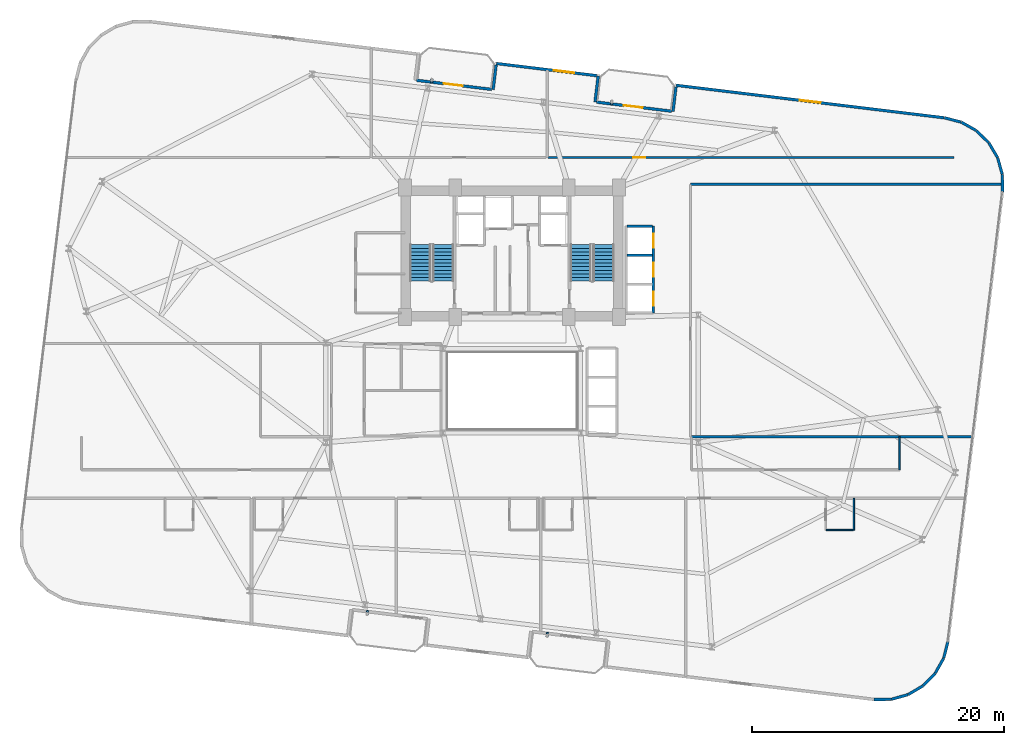
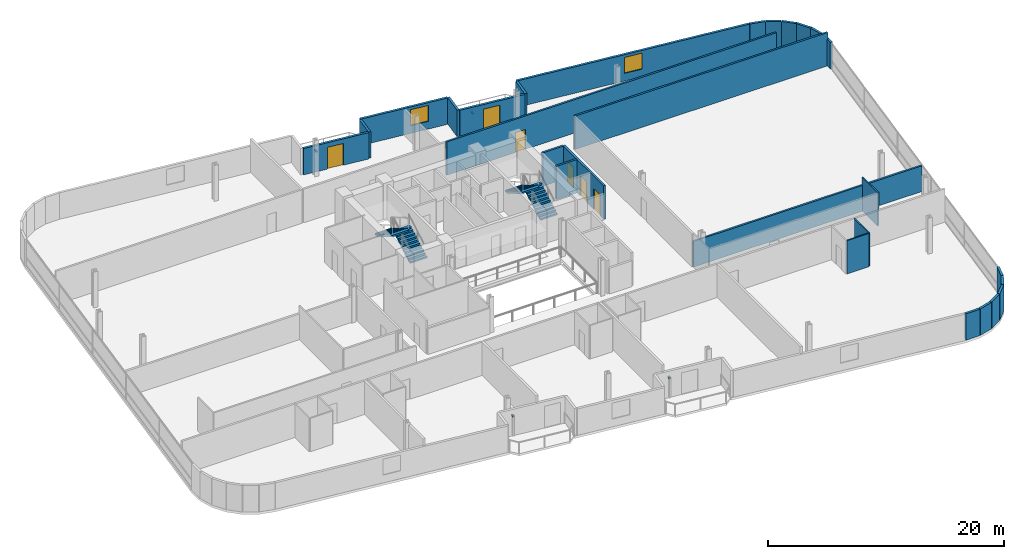
# One storey, part 23 of 25: 28 walls, 6 doors, 4 discrete accessories, 4 stair flights, 2 windows, 8 openings, 2 elements without a shape of their own.
"""IFC4 building model written with IfcOpenShell, lengths in metres."""

import ifcopenshell
import ifcopenshell.guid

model = None  # the IFC model being written
_history = None  # IfcOwnerHistory: only IFC2X3 demands one
_inside = {}  # id of a spatial element -> (the spatial element, [elements in it])
_under = {}  # id of a project, library or spatial element -> (it, [spatial elements below it])
_declared = {}  # id of a project -> (the project, [libraries it declares])
_typed = {}  # id of a type object -> (the type object, [elements of that type])
_made_of = {}  # id of a material, layer set ... -> (it, [elements and type objects made of it])


def new_model(schema):
    """Start an empty IFC model of exactly this schema.

    Asked for "IFC4X3", IfcOpenShell would pick the latest addendum, in which some entities
    have other attributes; the version numbers below select the first issue.
    IFC2X3 requires an IfcOwnerHistory on every rooted entity: one is made here for all.
    """
    global model, _history
    if schema == "IFC4X3":
        model = ifcopenshell.file(schema_version=(4, 3, 0, 0))
    else:
        model = ifcopenshell.file(schema=schema)
    _inside.clear()
    _under.clear()
    _declared.clear()
    _typed.clear()
    _made_of.clear()
    _history = None
    if model.schema == "IFC2X3":
        org = make("IfcOrganization", Name="unknown")
        user = make(
            "IfcPersonAndOrganization",
            ThePerson=make("IfcPerson", FamilyName="unknown"),
            TheOrganization=org,
        )
        app = make(
            "IfcApplication",
            ApplicationDeveloper=org,
            Version="unknown",
            ApplicationFullName="unknown",
            ApplicationIdentifier="unknown",
        )
        _history = make(
            "IfcOwnerHistory",
            OwningUser=user,
            OwningApplication=app,
            ChangeAction="ADDED",
            CreationDate=0,
        )
    return model


def make(cls, **values):
    """One entity of the class cls with the attributes given. An attribute that is None is left unset."""
    return model.create_entity(
        cls, **{name: value for name, value in values.items() if value is not None}
    )


def rooted(cls, **values):
    """An entity with a GlobalId (a new one), such as an element, a storey or a relation."""
    return make(cls, GlobalId=ifcopenshell.guid.new(), OwnerHistory=_history, **values)


def si_unit(unit_type, name, prefix=None):
    """IfcSIUnit, for example si_unit("LENGTHUNIT", "METRE", prefix="MILLI")."""
    return make("IfcSIUnit", UnitType=unit_type, Prefix=prefix, Name=name)


def assignment(units):
    """IfcUnitAssignment: the units of a project."""
    return None if units is None else make("IfcUnitAssignment", Units=units)


def point(xyz):
    """IfcCartesianPoint."""
    return None if xyz is None else make("IfcCartesianPoint", Coordinates=xyz)


def direction(xyz):
    """IfcDirection."""
    return None if xyz is None else make("IfcDirection", DirectionRatios=xyz)


def frame(location, z_axis=None, x_axis=None):
    """IfcAxis2Placement3D, a coordinate frame: its origin and axes. An axis left out is left unset."""
    return make(
        "IfcAxis2Placement3D",
        Location=point(location),
        Axis=direction(z_axis),
        RefDirection=direction(x_axis),
    )


def frame_2d(location, x_axis=None):
    """IfcAxis2Placement2D, a coordinate frame in the plane: its origin and x axis."""
    return make(
        "IfcAxis2Placement2D", Location=point(location), RefDirection=direction(x_axis)
    )


def origin():
    """The frame at (0, 0, 0) with its axes left unset."""
    return frame((0.0, 0.0, 0.0))


def origin_2d():
    """The frame at (0, 0) in the plane with its x axis left unset."""
    return frame_2d((0.0, 0.0))


def place(relative_to, where):
    """IfcLocalPlacement: puts the frame where relative to a parent placement (None: the world)."""
    return make(
        "IfcLocalPlacement", PlacementRelTo=relative_to, RelativePlacement=where
    )


def context(
    kind, dimensions, precision=None, world=None, true_north=None, identifier=None
):
    """IfcGeometricRepresentationContext, for example the 3D "Model" context."""
    return make(
        "IfcGeometricRepresentationContext",
        ContextIdentifier=identifier,
        ContextType=kind,
        CoordinateSpaceDimension=dimensions,
        Precision=precision,
        WorldCoordinateSystem=world,
        TrueNorth=true_north,
    )


def subcontext(parent, identifier, kind, view, scale=None):
    """IfcGeometricRepresentationSubContext, for example "Body" below "Model"."""
    return make(
        "IfcGeometricRepresentationSubContext",
        ContextIdentifier=identifier,
        ContextType=kind,
        ParentContext=parent,
        TargetScale=scale,
        TargetView=view,
    )


def project(units=None, contexts=None):
    """IfcProject with its units and contexts."""
    return rooted(
        "IfcProject",
        Name="project",
        RepresentationContexts=contexts,
        UnitsInContext=assignment(units),
    )


def spatial(cls, under=None, at=None, **own):
    """A site, building, storey or space (cls), placed at a placement, below another one or the project."""
    s = rooted(cls, ObjectPlacement=at, **own)
    if under is not None:
        _under.setdefault(under.id(), (under, []))[1].append(s)
    return s


def polyline(points):
    """IfcPolyline through the points."""
    return make("IfcPolyline", Points=[point(p) for p in points])


def profile(cls, at=None, kind="AREA", **sizes):
    """A parametric profile (cls). Its sizes go by their IFC names, for example OverallWidth=200.0."""
    return make(cls, ProfileType=kind, Position=at, **sizes)


def rectangle(**sizes):
    """IfcRectangleProfileDef."""
    return profile("IfcRectangleProfileDef", **sizes)


def outline(outer, holes=None, kind="AREA"):
    """IfcArbitraryClosedProfileDef: a profile drawn as a closed curve; with holes, ...WithVoids."""
    if holes is None:
        return make("IfcArbitraryClosedProfileDef", ProfileType=kind, OuterCurve=outer)
    return make(
        "IfcArbitraryProfileDefWithVoids",
        ProfileType=kind,
        OuterCurve=outer,
        InnerCurves=holes,
    )


def extrude(swept, where, along, depth):
    """IfcExtrudedAreaSolid: the profile swept, set in the frame where, extruded along a direction by depth."""
    return make(
        "IfcExtrudedAreaSolid",
        SweptArea=swept,
        Position=where,
        ExtrudedDirection=direction(along),
        Depth=depth,
    )


def shape(context_of_items, identifier, shape_type, items):
    """IfcShapeRepresentation: the items that make up one representation, for example the "Body"."""
    return make(
        "IfcShapeRepresentation",
        ContextOfItems=context_of_items,
        RepresentationIdentifier=identifier,
        RepresentationType=shape_type,
        Items=items,
    )


def source(mapping_origin, context_of_items, identifier, shape_type, items):
    """IfcRepresentationMap: a shape defined once, which mapped items show again and again."""
    return make(
        "IfcRepresentationMap",
        MappingOrigin=mapping_origin,
        MappedRepresentation=shape(context_of_items, identifier, shape_type, items),
    )


def transform(
    local_origin,
    x_axis=None,
    y_axis=None,
    z_axis=None,
    scale=None,
    scale2=None,
    scale3=None,
    uniform=True,
):
    """IfcCartesianTransformationOperator3D, or its non-uniform kind. x_axis, y_axis, z_axis: its Axis1, 2, 3."""
    if uniform:
        return make(
            "IfcCartesianTransformationOperator3D",
            Axis1=direction(x_axis),
            Axis2=direction(y_axis),
            LocalOrigin=point(local_origin),
            Scale=scale,
            Axis3=direction(z_axis),
        )
    return make(
        "IfcCartesianTransformationOperator3DnonUniform",
        Axis1=direction(x_axis),
        Axis2=direction(y_axis),
        LocalOrigin=point(local_origin),
        Scale=scale,
        Axis3=direction(z_axis),
        Scale2=scale2,
        Scale3=scale3,
    )


def mapped(mapping_source, mapping_target):
    """IfcMappedItem: shows the shape of a source again, moved by a transform."""
    return make(
        "IfcMappedItem", MappingSource=mapping_source, MappingTarget=mapping_target
    )


def material(Name=None, Category=None):
    """IfcMaterial."""
    return make("IfcMaterial", Name=Name, Category=Category)


def layer(
    of_material, thickness, ventilated=None, Name=None, Category=None, Priority=None
):
    """IfcMaterialLayer: one layer of a wall or slab, of a material (None: an air gap)."""
    return make(
        "IfcMaterialLayer",
        Material=of_material,
        LayerThickness=thickness,
        IsVentilated=ventilated,
        Name=Name,
        Category=Category,
        Priority=Priority,
    )


def layer_set(layers, Name=None):
    """IfcMaterialLayerSet."""
    return make("IfcMaterialLayerSet", MaterialLayers=layers, LayerSetName=Name)


def made_of(thing, what):
    """Note that an element or type object is made of a material, layer set ...; save() writes the relation."""
    if what is not None:
        _made_of.setdefault(what.id(), (what, []))[1].append(thing)
    return thing


def type_object(cls, material=None, **own):
    """A type object (cls), such as IfcWallType, which elements share."""
    return made_of(rooted(cls, **own), material)


def element(
    cls,
    number,
    at=None,
    inside=None,
    cuts=None,
    type_object=None,
    material=None,
    context=None,
    identifier="Body",
    shape_type=None,
    held_by="IfcProductDefinitionShape",
    body=None,
    shapes=None,
    **own,
):
    """One element of the class cls, such as IfcWall. Its Tag is "e" and its number.

    at: its placement. inside: the storey or other place that contains it. cuts: it is an
    opening in that element (IfcRelVoidsElement). A single representation is given by context,
    identifier, shape_type and body (its items); several are given by shapes. held_by: the class
    of the entity that holds the representations. save() writes the other relations.
    """
    e = rooted(cls, Tag="e%d" % number, ObjectPlacement=at, **own)
    if body is not None:
        shapes = [shape(context, identifier, shape_type, body)]
    if shapes is not None:
        e.Representation = make(held_by, Representations=shapes)
    if inside is not None:
        _inside.setdefault(inside.id(), (inside, []))[1].append(e)
    if cuts is not None:
        rooted(
            "IfcRelVoidsElement", RelatingBuildingElement=cuts, RelatedOpeningElement=e
        )
    if type_object is not None:
        _typed.setdefault(type_object.id(), (type_object, []))[1].append(e)
    return made_of(e, material)


def fill(opening, filler):
    """IfcRelFillsElement: the door or window that sits in an opening."""
    return rooted(
        "IfcRelFillsElement",
        RelatingOpeningElement=opening,
        RelatedBuildingElement=filler,
    )


def aggregate(whole, parts):
    """IfcRelAggregates: a whole, such as a stair, and the parts it consists of."""
    return rooted("IfcRelAggregates", RelatingObject=whole, RelatedObjects=parts)


def save(model, path):
    """Write the relations noted so far, then the file.

    IfcRelAggregates (storeys below a building ...), IfcRelContainedInSpatialStructure (elements
    in a storey), IfcRelDefinesByType, IfcRelAssociatesMaterial and IfcRelDeclares: one each for
    every whole, place, type object, material and project.
    """
    for whole, parts in _under.values():
        aggregate(whole, parts)
    for where, things in _inside.values():
        rooted(
            "IfcRelContainedInSpatialStructure",
            RelatedElements=things,
            RelatingStructure=where,
        )
    for kind, things in _typed.values():
        rooted("IfcRelDefinesByType", RelatedObjects=things, RelatingType=kind)
    for what, things in _made_of.values():
        rooted("IfcRelAssociatesMaterial", RelatedObjects=things, RelatingMaterial=what)
    for by, libraries in _declared.values():
        rooted("IfcRelDeclares", RelatingContext=by, RelatedDefinitions=libraries)
    model.write(path)


model = new_model("IFC4")

# Units and contexts
model_context = context("Model", 3, precision=1e-05, world=origin(), true_north=direction((0.0, 1.0)))
body_context = subcontext(model_context, "Body", "Model", "MODEL_VIEW")
ifc_project = project(units=[si_unit("LENGTHUNIT", "METRE"), si_unit("AREAUNIT", "SQUARE_METRE"), si_unit("VOLUMEUNIT", "CUBIC_METRE"), si_unit("PLANEANGLEUNIT", "RADIAN"), si_unit("MASSUNIT", "GRAM", prefix="KILO")], contexts=[model_context])

# Site, building, storey
site_placement = place(None, origin())
site = spatial("IfcSite", under=ifc_project, at=site_placement, CompositionType="ELEMENT")
building_placement = place(site_placement, origin())
building = spatial("IfcBuilding", under=site, at=building_placement, Name="Varnelok Gate Tower", CompositionType="ELEMENT")
storey_placement = place(building_placement, frame((0.0, 0.0, 140.199951171875)))
storey = spatial("IfcBuildingStorey", under=building, at=storey_placement, Name="L35", CompositionType="ELEMENT", Elevation=140.199951171875)

# Wall, opening, door
ifc_material_1 = material(Name="Concrete C45/55", Category="concrete")
ifc_layer_1 = layer(ifc_material_1, 0.219970703125)
ifc_layer_set_1 = layer_set([ifc_layer_1], Name="Concrete C45/55")
wall_type_1 = type_object("IfcWallType", Name="EW-BALC-220", PredefinedType="SOLIDWALL", material=ifc_layer_set_1)
wall_1_placement = place(storey_placement, frame((31.624267578125, 47.5634765625, 0.0), z_axis=(0.0, 0.0, 1.0), x_axis=(0.992729951822, -0.120362962556, 0.0)))
wall_1 = element("IfcWall", 1, at=wall_1_placement, inside=storey, type_object=wall_type_1, Name="L35 North Terrace Envelope Wall 3", PredefinedType="SOLIDWALL", context=body_context, shape_type="SweptSolid", body=[
    extrude(rectangle(XDim=6.0, YDim=0.219970703125, at=frame_2d((3.0, 0.0))), origin(), (0.0, 0.0, 1.0), 2.72998046875),
])
opening_1_placement = place(wall_1_placement, frame((2.176025390625, 0.0, 0.0)))
opening_1 = element("IfcOpeningElement", 2, at=opening_1_placement, cuts=wall_1, Name="Opening BD-1", PredefinedType="OPENING", context=body_context, shape_type="SweptSolid", body=[
    extrude(rectangle(XDim=1.5, YDim=2.25, at=frame_2d((0.75, 1.125))), frame((0.0, 0.119873046875, 0.0), z_axis=(0.0, -1.0, 0.0), x_axis=(1.0, 0.0, 0.0)), (0.0, 0.0, 1.0), 0.239990234375),
])
ifc_material_2 = material(Name="Anodized Aluminum Alloy 6063-T6", Category="aluminium")
door_type_1 = type_object("IfcDoorType", Name="DR-EXT-BALC1500", OperationType="NOTDEFINED", PredefinedType="DOOR", material=ifc_material_2)
door_1_placement = place(opening_1_placement, origin())
door_1 = element("IfcDoor", 3, at=door_1_placement, inside=storey, type_object=door_type_1, Name="L35 North Balcony Glazed Door 3", OperationType="SINGLE_SWING_RIGHT", OverallHeight=2.25, OverallWidth=1.5, PredefinedType="DOOR", context=body_context, shape_type="SweptSolid", body=[
    extrude(rectangle(XDim=1.5, YDim=2.25, at=frame_2d((0.75, 1.125))), frame((0.0, 0.02490234375, 0.0), z_axis=(0.0, -1.0, 0.0), x_axis=(1.0, 0.0, 0.0)), (0.0, 0.0, 1.0), 0.050048828125),
])
fill(opening_1, door_1)

wall_2_placement = place(storey_placement, frame((45.919677734375, 45.83056640625, 0.0), z_axis=(0.0, 0.0, 1.0), x_axis=(0.992729951822, -0.120362962556, 0.0)))
wall_2 = element("IfcWall", 4, at=wall_2_placement, inside=storey, type_object=wall_type_1, Name="L35 North Terrace Envelope Wall 4", PredefinedType="SOLIDWALL", context=body_context, shape_type="SweptSolid", body=[
    extrude(rectangle(XDim=6.0, YDim=0.219970703125, at=frame_2d((3.0, 0.0))), origin(), (0.0, 0.0, 1.0), 2.72998046875),
])
opening_2_placement = place(wall_2_placement, frame((2.176025390625, 0.0, 0.0)))
opening_2 = element("IfcOpeningElement", 5, at=opening_2_placement, cuts=wall_2, Name="Opening BD-1", PredefinedType="OPENING", context=body_context, shape_type="SweptSolid", body=[
    extrude(rectangle(XDim=1.5, YDim=2.25, at=frame_2d((0.75, 1.125))), frame((0.0, 0.119873046875, 0.0), z_axis=(0.0, -1.0, 0.0), x_axis=(1.0, 0.0, 0.0)), (0.0, 0.0, 1.0), 0.239990234375),
])
door_2_placement = place(opening_2_placement, origin())
door_2 = element("IfcDoor", 6, at=door_2_placement, inside=storey, type_object=door_type_1, Name="L35 North Balcony Glazed Door 4", OperationType="SINGLE_SWING_LEFT", OverallHeight=2.25, OverallWidth=1.5, PredefinedType="DOOR", context=body_context, shape_type="SweptSolid", body=[
    extrude(rectangle(XDim=1.5, YDim=2.25, at=frame_2d((0.75, 1.125))), frame((0.0, 0.02490234375, 0.0), z_axis=(0.0, -1.0, 0.0), x_axis=(1.0, 0.0, 0.0)), (0.0, 0.0, 1.0), 0.050048828125),
])
fill(opening_2, door_2)

# Walls
wall_3_placement = place(storey_placement, frame((67.984375, -1.63671875, 0.0), z_axis=(0.0, 0.0, 1.0), x_axis=(0.999945887077, 0.010403024475, 0.0)))
element("IfcWall", 7, at=wall_3_placement, inside=storey, type_object=wall_type_1, Name="L35 Perimeter Facade Closure Wall 14", PredefinedType="SOLIDWALL", context=body_context, shape_type="SweptSolid", body=[
    extrude(rectangle(XDim=1.361083984375, YDim=0.219970703125, at=frame_2d((0.6806640625, 0.0))), origin(), (0.0, 0.0, 1.0), 2.72998046875),
])
wall_4_placement = place(storey_placement, frame((69.369384765625, -1.615966796875, 0.0), z_axis=(0.0, 0.0, 1.0), x_axis=(0.963194128812, 0.268806752562, 0.0)))
element("IfcWall", 8, at=wall_4_placement, inside=storey, type_object=wall_type_1, Name="L35 Perimeter Facade Closure Wall 15", PredefinedType="SOLIDWALL", context=body_context, shape_type="SweptSolid", body=[
    extrude(rectangle(XDim=1.353271484375, YDim=0.219970703125, at=frame_2d((0.6767578125, 0.0))), origin(), (0.0, 0.0, 1.0), 2.72998046875),
])
for number, where, z_axis, x_axis, name in (
    (9, (70.6943359375, -1.239501953125, 0.0), (0.0, 0.0, 1.0), (0.860865455241, 0.508832652228, 0.0), "L35 Perimeter Facade Closure Wall 16"),
    (10, (71.876708984375, -0.533203125, 0.0), (0.0, 0.0, 1.0), (0.69976104234, 0.714376989847, 0.0), "L35 Perimeter Facade Closure Wall 17"),
    (11, (72.835693359375, 0.455078125, 0.0), (0.0, 0.0, 1.0), (0.491117621399, 0.871093268227, 0.0), "L35 Perimeter Facade Closure Wall 18"),
):
    element("IfcWall", number, at=place(storey_placement, frame(where, z_axis=z_axis, x_axis=x_axis)), inside=storey, type_object=wall_type_1, Name=name, PredefinedType="SOLIDWALL", context=body_context, shape_type="SweptSolid", body=[
        extrude(rectangle(XDim=1.35302734375, YDim=0.219970703125, at=frame_2d((0.676513671875, 0.0))), origin(), (0.0, 0.0, 1.0), 2.72998046875),
    ])
wall_5_placement = place(storey_placement, frame((73.506591796875, 1.658203125, 0.0), z_axis=(0.0, 0.0, 1.0), x_axis=(0.248857256909, 0.968540172468, 0.0)))
element("IfcWall", 12, at=wall_5_placement, inside=storey, type_object=wall_type_1, Name="L35 Perimeter Facade Closure Wall 19", PredefinedType="SOLIDWALL", context=body_context, shape_type="SweptSolid", body=[
    extrude(rectangle(XDim=1.352783203125, YDim=0.219970703125, at=frame_2d((0.67626953125, 0.0))), origin(), (0.0, 0.0, 1.0), 2.72998046875),
])
wall_6_placement = place(storey_placement, frame((78.175537109375, 38.706787109375, 0.0), z_axis=(0.0, 0.0, 1.0), x_axis=(-0.010096916637, 0.999949024838, 0.0)))
element("IfcWall", 13, at=wall_6_placement, inside=storey, type_object=wall_type_1, Name="L35 Perimeter Facade Closure Wall 20", PredefinedType="SOLIDWALL", context=body_context, shape_type="SweptSolid", body=[
    extrude(rectangle(XDim=1.378173828125, YDim=0.219970703125, at=frame_2d((0.68896484375, 0.0))), origin(), (0.0, 0.0, 1.0), 2.72998046875),
])
wall_7_placement = place(storey_placement, frame((78.15478515625, 40.10888671875, 0.0), z_axis=(0.0, 0.0, 1.0), x_axis=(-0.268639368869, 0.963240826322, 0.0)))
element("IfcWall", 14, at=wall_7_placement, inside=storey, type_object=wall_type_1, Name="L35 Perimeter Facade Closure Wall 21", PredefinedType="SOLIDWALL", context=body_context, shape_type="SweptSolid", body=[
    extrude(rectangle(XDim=1.353271484375, YDim=0.219970703125, at=frame_2d((0.6767578125, 0.0))), origin(), (0.0, 0.0, 1.0), 2.72998046875),
])
for number, where, z_axis, x_axis, name in (
    (15, (77.7783203125, 41.433837890625, 0.0), (0.0, 0.0, 1.0), (-0.508698913794, 0.860944490142, 0.0), "L35 Perimeter Facade Closure Wall 22"),
    (16, (77.072265625, 42.6162109375, 0.0), (0.0, 0.0, 1.0), (-0.714376989847, 0.69976104234, 0.0), "L35 Perimeter Facade Closure Wall 23"),
    (17, (76.083740234375, 43.5751953125, 0.0), (0.0, 0.0, 1.0), (-0.871093268227, 0.491117621399, 0.0), "L35 Perimeter Facade Closure Wall 24"),
):
    element("IfcWall", number, at=place(storey_placement, frame(where, z_axis=z_axis, x_axis=x_axis)), inside=storey, type_object=wall_type_1, Name=name, PredefinedType="SOLIDWALL", context=body_context, shape_type="SweptSolid", body=[
        extrude(rectangle(XDim=1.35302734375, YDim=0.219970703125, at=frame_2d((0.676513671875, 0.0))), origin(), (0.0, 0.0, 1.0), 2.72998046875),
    ])
wall_8_placement = place(storey_placement, frame((74.880859375, 44.24609375, 0.0), z_axis=(0.0, 0.0, 1.0), x_axis=(-0.968549775063, 0.248819881091, 0.0)))
element("IfcWall", 18, at=wall_8_placement, inside=storey, type_object=wall_type_1, Name="L35 Perimeter Facade Closure Wall 25", PredefinedType="SOLIDWALL", context=body_context, shape_type="SweptSolid", body=[
    extrude(rectangle(XDim=1.36083984375, YDim=0.219970703125, at=frame_2d((0.680419921875, 0.0))), origin(), (0.0, 0.0, 1.0), 2.72998046875),
])

# Wall, opening, window
wall_9_placement = place(storey_placement, frame((73.537841796875, 44.587890625, 0.0), z_axis=(0.0, 0.0, 1.0), x_axis=(-0.992733493583, 0.120333747213, 0.0)))
wall_9 = element("IfcWall", 19, at=wall_9_placement, inside=storey, type_object=wall_type_1, Name="L35 Perimeter Facade Closure Wall 26", PredefinedType="SOLIDWALL", context=body_context, shape_type="SweptSolid", body=[
    extrude(rectangle(XDim=21.447021484375, YDim=0.219970703125, at=frame_2d((10.7236328125, 0.0))), origin(), (0.0, 0.0, 1.0), 2.72998046875),
])
opening_3_placement = place(wall_9_placement, frame((9.898681640625, 0.0, 0.800048828125)))
opening_3 = element("IfcOpeningElement", 20, at=opening_3_placement, cuts=wall_9, Name="Opening WN3", PredefinedType="OPENING", context=body_context, shape_type="SweptSolid", body=[
    extrude(rectangle(XDim=1.64990234375, YDim=1.64990234375, at=frame_2d((0.824951171875, 0.824951171875))), frame((0.0, 0.119873046875, 0.0), z_axis=(0.0, -1.0, 0.0), x_axis=(1.0, 0.0, 0.0)), (0.0, 0.0, 1.0), 0.239990234375),
])
ifc_material_3 = material(Name="Low-E Laminated Double Glazing IGU", Category="glass")
window_type = type_object("IfcWindowType", Name="WN-HTL-1650", PartitioningType="SINGLE_PANEL", PredefinedType="WINDOW", material=ifc_material_3)
window_1_placement = place(opening_3_placement, origin())
window_1 = element("IfcWindow", 21, at=window_1_placement, inside=storey, type_object=window_type, Name="L35 Perimeter Vision Window 26", OverallHeight=1.64990234375, OverallWidth=1.64990234375, PartitioningType="SINGLE_PANEL", PredefinedType="WINDOW", context=body_context, shape_type="SweptSolid", body=[
    extrude(rectangle(XDim=1.64990234375, YDim=1.64990234375, at=frame_2d((0.824951171875, 0.824951171875))), frame((0.0, 0.030029296875, 0.0), z_axis=(0.0, -1.0, 0.0), x_axis=(1.0, 0.0, 0.0)), (0.0, 0.0, 1.0), 0.06005859375),
])
fill(opening_3, window_1)

# Walls
wall_10_placement = place(storey_placement, frame((52.2314453125, 47.044677734375, 0.0), z_axis=(0.0, 0.0, 1.0), x_axis=(-0.120275992932, -0.992740492538, 0.0)))
element("IfcWall", 22, at=wall_10_placement, inside=storey, type_object=wall_type_1, Name="L35 Perimeter Facade Closure Wall 27", PredefinedType="SOLIDWALL", context=body_context, shape_type="SweptSolid", body=[
    extrude(rectangle(XDim=1.97509765625, YDim=0.219970703125, at=frame_2d((0.987548828125, 0.0))), origin(), (0.0, 0.0, 1.0), 2.72998046875),
])
wall_11_placement = place(storey_placement, frame((45.79931640625, 45.8349609375, 0.0), z_axis=(0.0, 0.0, 1.0), x_axis=(0.120314009587, 0.992735885871, 0.0)))
element("IfcWall", 23, at=wall_11_placement, inside=storey, type_object=wall_type_1, Name="L35 Perimeter Facade Closure Wall 28", PredefinedType="SOLIDWALL", context=body_context, shape_type="SweptSolid", body=[
    extrude(rectangle(XDim=2.10009765625, YDim=0.219970703125, at=frame_2d((1.050048828125, 0.0))), origin(), (0.0, 0.0, 1.0), 2.72998046875),
])

# Wall, opening, window
wall_12_placement = place(storey_placement, frame((45.927734375, 47.934814453125, 0.0), z_axis=(0.0, 0.0, 1.0), x_axis=(-0.992730591876, 0.120357683402, 0.0)))
wall_12 = element("IfcWall", 24, at=wall_12_placement, inside=storey, type_object=wall_type_1, Name="L35 Perimeter Facade Closure Wall 29", PredefinedType="SOLIDWALL", context=body_context, shape_type="SweptSolid", body=[
    extrude(rectangle(XDim=8.03466796875, YDim=0.219970703125, at=frame_2d((4.017333984375, 0.0))), origin(), (0.0, 0.0, 1.0), 2.72998046875),
])
opening_4_placement = place(wall_12_placement, frame((1.787841796875, 0.0, 0.800048828125)))
opening_4 = element("IfcOpeningElement", 25, at=opening_4_placement, cuts=wall_12, Name="Opening WN3", PredefinedType="OPENING", context=body_context, shape_type="SweptSolid", body=[
    extrude(rectangle(XDim=1.64990234375, YDim=1.64990234375, at=frame_2d((0.824951171875, 0.824951171875))), frame((0.0, 0.119873046875, 0.0), z_axis=(0.0, -1.0, 0.0), x_axis=(1.0, 0.0, 0.0)), (0.0, 0.0, 1.0), 0.239990234375),
])
window_2_placement = place(opening_4_placement, origin())
window_2 = element("IfcWindow", 26, at=window_2_placement, inside=storey, type_object=window_type, Name="L35 Perimeter Vision Window 29", OverallHeight=1.64990234375, OverallWidth=1.64990234375, PartitioningType="SINGLE_PANEL", PredefinedType="WINDOW", context=body_context, shape_type="SweptSolid", body=[
    extrude(rectangle(XDim=1.64990234375, YDim=1.64990234375, at=frame_2d((0.824951171875, 0.824951171875))), frame((0.0, 0.030029296875, 0.0), z_axis=(0.0, -1.0, 0.0), x_axis=(1.0, 0.0, 0.0)), (0.0, 0.0, 1.0), 0.06005859375),
])
fill(opening_4, window_2)

# Wall
wall_13_placement = place(storey_placement, frame((37.936279296875, 48.777587890625, 0.0), z_axis=(0.0, 0.0, 1.0), x_axis=(-0.120397815541, -0.992725725472, 0.0)))
element("IfcWall", 27, at=wall_13_placement, inside=storey, type_object=wall_type_1, Name="L35 Perimeter Facade Closure Wall 30", PredefinedType="SOLIDWALL", context=body_context, shape_type="SweptSolid", body=[
    extrude(rectangle(XDim=1.97509765625, YDim=0.219970703125, at=frame_2d((0.987548828125, 0.0))), origin(), (0.0, 0.0, 1.0), 2.72998046875),
])

# Wall, opening, door
ifc_material_4 = material(Name="Gypsum Plasterboard Acoustic Partition", Category="gypsum")
ifc_layer_2 = layer(ifc_material_4, 0.179931640625)
ifc_layer_set_2 = layer_set([ifc_layer_2], Name="Gypsum Plasterboard Acoustic Partition")
wall_type_2 = type_object("IfcWallType", Name="PW-CORR-180", PredefinedType="PARTITIONING", material=ifc_layer_set_2)
wall_14_placement = place(storey_placement, frame((42.080078125, 41.429931640625, 0.0), z_axis=(0.0, 0.0, 1.0), x_axis=(1.0, 0.0, 0.0)))
wall_14 = element("IfcWall", 28, at=wall_14_placement, inside=storey, type_object=wall_type_2, Name="Interior Partition", PredefinedType="PARTITIONING", context=body_context, shape_type="SweptSolid", body=[
    extrude(rectangle(XDim=32.239990234375, YDim=0.179931640625, at=frame_2d((16.1201171875, 0.0))), origin(), (0.0, 0.0, 1.0), 3.449951171875),
])
opening_5_placement = place(wall_14_placement, frame((6.7451171875, 0.0, 0.0)))
opening_5 = element("IfcOpeningElement", 29, at=opening_5_placement, cuts=wall_14, Name="Opening D-I2", PredefinedType="OPENING", context=body_context, shape_type="SweptSolid", body=[
    extrude(rectangle(XDim=0.949951171875, YDim=2.050048828125, at=frame_2d((0.47509765625, 1.02490234375))), frame((0.0, 0.099853515625, 0.0), z_axis=(0.0, -1.0, 0.0), x_axis=(1.0, 0.0, 0.0)), (0.0, 0.0, 1.0), 0.199951171875),
])
ifc_material_5 = material(Name="Engineered Hardwood Timber", Category="wood")
door_type_2 = type_object("IfcDoorType", Name="DR-INT-950", OperationType="NOTDEFINED", PredefinedType="DOOR", material=ifc_material_5)
door_3_placement = place(opening_5_placement, origin())
door_3 = element("IfcDoor", 30, at=door_3_placement, inside=storey, type_object=door_type_2, Name="L35 Hotel Business Center Door", OperationType="SINGLE_SWING_LEFT", OverallHeight=2.050048828125, OverallWidth=0.949951171875, PredefinedType="DOOR", context=body_context, shape_type="SweptSolid", body=[
    extrude(rectangle(XDim=0.949951171875, YDim=2.050048828125, at=frame_2d((0.47509765625, 1.02490234375))), frame((0.0, 0.02490234375, 0.0), z_axis=(0.0, -1.0, 0.0), x_axis=(1.0, 0.0, 0.0)), (0.0, 0.0, 1.0), 0.050048828125),
])
fill(opening_5, door_3)

# Walls
wall_15_placement = place(storey_placement, frame((53.389892578125, 19.239990234375, 0.0), z_axis=(0.0, 0.0, 1.0), x_axis=(1.0, 0.0, 0.0)))
element("IfcWall", 31, at=wall_15_placement, inside=storey, type_object=wall_type_2, Name="Interior Partition", PredefinedType="PARTITIONING", context=body_context, shape_type="SweptSolid", body=[
    extrude(rectangle(XDim=22.36669921875, YDim=0.179931640625, at=frame_2d((11.183349609375, 0.0))), origin(), (0.0, 0.0, 1.0), 2.662109375),
])
wall_16_placement = place(storey_placement, frame((53.389892578125, 39.300048828125, 0.0), z_axis=(0.0, 0.0, 1.0), x_axis=(1.0, 0.0, 0.0)))
element("IfcWall", 32, at=wall_16_placement, inside=storey, type_object=wall_type_2, Name="Interior Partition", PredefinedType="PARTITIONING", context=body_context, shape_type="SweptSolid", body=[
    extrude(rectangle(XDim=24.73974609375, YDim=0.179931640625, at=frame_2d((12.369873046875, 0.0))), origin(), (0.0, 0.0, 1.0), 3.449951171875),
])
ifc_layer_3 = layer(ifc_material_4, 0.114990234375)
ifc_layer_set_3 = layer_set([ifc_layer_3], Name="Gypsum Plasterboard Acoustic Partition")
wall_type_3 = type_object("IfcWallType", Name="PW-ENS-125", PredefinedType="PARTITIONING", material=ifc_layer_set_3)
wall_17_placement = place(storey_placement, frame((64.169921875, 11.830078125, 0.0), z_axis=(0.0, 0.0, 1.0), x_axis=(1.0, 0.0, 0.0)))
element("IfcWall", 33, at=wall_17_placement, inside=storey, type_object=wall_type_3, Name="Interior Partition", PredefinedType="PARTITIONING", context=body_context, shape_type="SweptSolid", body=[
    extrude(rectangle(XDim=2.150146484375, YDim=0.114990234375, at=frame_2d((1.0751953125, 0.0))), origin(), (0.0, 0.0, 1.0), 3.449951171875),
])
wall_18_placement = place(storey_placement, frame((66.360107421875, 11.830078125, 0.0), z_axis=(0.0, 0.0, 1.0), x_axis=(0.0, 1.0, 0.0)))
element("IfcWall", 34, at=wall_18_placement, inside=storey, type_object=wall_type_3, Name="Interior Partition", PredefinedType="PARTITIONING", context=body_context, shape_type="SweptSolid", body=[
    extrude(rectangle(XDim=2.52001953125, YDim=0.114990234375, at=frame_2d((1.260009765625, 0.0))), origin(), (0.0, 0.0, 1.0), 3.449951171875),
])
ifc_layer_4 = layer(ifc_material_4, 0.125)
ifc_layer_set_4 = layer_set([ifc_layer_4], Name="Gypsum Plasterboard Acoustic Partition")
wall_type_4 = type_object("IfcWallType", Name="PW-PART-125", PredefinedType="PARTITIONING", material=ifc_layer_set_4)
wall_19_placement = place(storey_placement, frame((70.0, 16.610107421875, 0.0), z_axis=(0.0, 0.0, 1.0), x_axis=(0.0, 1.0, 0.0)))
element("IfcWall", 35, at=wall_19_placement, inside=storey, type_object=wall_type_4, Name="Interior Partition", PredefinedType="PARTITIONING", context=body_context, shape_type="SweptSolid", body=[
    extrude(rectangle(XDim=2.6298828125, YDim=0.125, at=frame_2d((1.31494140625, 0.0))), origin(), (0.0, 0.0, 1.0), 3.449951171875),
])
ifc_material_6 = material(Name="Concrete C35/45", Category="concrete")
ifc_layer_5 = layer(ifc_material_6, 0.199951171875)
ifc_layer_set_5 = layer_set([ifc_layer_5], Name="Concrete C35/45")
wall_type_5 = type_object("IfcWallType", Name="PW-SHAFT-200", PredefinedType="PARTITIONING", material=ifc_layer_set_5)
for number, where, z_axis, x_axis, name in (
    (36, (48.320068359375, 33.675048828125, 0.0), (0.0, 0.0, 1.0), (1.0, 0.0, 0.0), "L35 PM2 Divider"),
    (37, (48.320068359375, 35.969970703125, 0.0), (0.0, 0.0, 1.0), (1.0, 0.0, 0.0), "L35 PM Bank North Wall"),
):
    element("IfcWall", number, at=place(storey_placement, frame(where, z_axis=z_axis, x_axis=x_axis)), inside=storey, type_object=wall_type_5, Name=name, PredefinedType="PARTITIONING", context=body_context, shape_type="SweptSolid", body=[
        extrude(rectangle(XDim=2.059814453125, YDim=0.199951171875, at=frame_2d((1.02978515625, 0.0))), origin(), (0.0, 0.0, 1.0), 3.449951171875),
    ])

# Wall, openings, doors
wall_20_placement = place(storey_placement, frame((50.43994140625, 29.080078125, 0.0), z_axis=(0.0, 0.0, 1.0), x_axis=(0.0, 1.0, 0.0)))
wall_20 = element("IfcWall", 38, at=wall_20_placement, inside=storey, type_object=wall_type_5, Name="L35 PM Bank Front Wall", PredefinedType="PARTITIONING", context=body_context, shape_type="SweptSolid", body=[
    extrude(rectangle(XDim=6.889892578125, YDim=0.199951171875, at=frame_2d((3.44482421875, 0.0))), origin(), (0.0, 0.0, 1.0), 3.449951171875),
])
opening_6_placement = place(wall_20_placement, frame((0.590087890625, 0.0, 0.0)))
opening_6 = element("IfcOpeningElement", 39, at=opening_6_placement, cuts=wall_20, Name="Opening LD-PM1", PredefinedType="OPENING", context=body_context, shape_type="SweptSolid", body=[
    extrude(rectangle(XDim=1.10009765625, YDim=2.14990234375, at=frame_2d((0.550048828125, 1.074951171875))), frame((0.0, 0.10986328125, 0.0), z_axis=(0.0, -1.0, 0.0), x_axis=(1.0, 0.0, 0.0)), (0.0, 0.0, 1.0), 0.219970703125),
])
opening_7_placement = place(wall_20_placement, frame((2.889892578125, 0.0, 0.0)))
opening_7 = element("IfcOpeningElement", 40, at=opening_7_placement, cuts=wall_20, Name="Opening LD-PM2", PredefinedType="OPENING", context=body_context, shape_type="SweptSolid", body=[
    extrude(rectangle(XDim=1.10009765625, YDim=2.14990234375, at=frame_2d((0.550048828125, 1.074951171875))), frame((0.0, 0.10986328125, 0.0), z_axis=(0.0, -1.0, 0.0), x_axis=(1.0, 0.0, 0.0)), (0.0, 0.0, 1.0), 0.219970703125),
])
opening_8_placement = place(wall_20_placement, frame((5.18994140625, 0.0, 0.0)))
opening_8 = element("IfcOpeningElement", 41, at=opening_8_placement, cuts=wall_20, Name="Opening LD-PM3", PredefinedType="OPENING", context=body_context, shape_type="SweptSolid", body=[
    extrude(rectangle(XDim=1.10009765625, YDim=2.14990234375, at=frame_2d((0.550048828125, 1.074951171875))), frame((0.0, 0.10986328125, 0.0), z_axis=(0.0, -1.0, 0.0), x_axis=(1.0, 0.0, 0.0)), (0.0, 0.0, 1.0), 0.219970703125),
])
ifc_material_7 = material(Name="Galvanized Steel Grade S350GD", Category="steel")
door_type_3 = type_object("IfcDoorType", Name="DR-LIFT-PAX1100", OperationType="SLIDING_TO_LEFT", PredefinedType="DOOR", material=ifc_material_7)
door_4_placement = place(opening_6_placement, origin())
door_4 = element("IfcDoor", 42, at=door_4_placement, inside=storey, type_object=door_type_3, Name="L35 Passenger Lift Landing Door LD-PM1", OperationType="SLIDING_TO_LEFT", OverallHeight=2.14990234375, OverallWidth=1.10009765625, PredefinedType="DOOR", context=body_context, shape_type="SweptSolid", body=[
    extrude(rectangle(XDim=1.10009765625, YDim=2.14990234375, at=frame_2d((0.550048828125, 1.074951171875))), frame((0.0, 0.02490234375, 0.0), z_axis=(0.0, -1.0, 0.0), x_axis=(1.0, 0.0, 0.0)), (0.0, 0.0, 1.0), 0.050048828125),
])
fill(opening_6, door_4)
door_5_placement = place(opening_7_placement, origin())
door_5 = element("IfcDoor", 43, at=door_5_placement, inside=storey, type_object=door_type_3, Name="L35 Passenger Lift Landing Door LD-PM2", OperationType="SLIDING_TO_LEFT", OverallHeight=2.14990234375, OverallWidth=1.10009765625, PredefinedType="DOOR", context=body_context, shape_type="SweptSolid", body=[
    extrude(rectangle(XDim=1.10009765625, YDim=2.14990234375, at=frame_2d((0.550048828125, 1.074951171875))), frame((0.0, 0.02490234375, 0.0), z_axis=(0.0, -1.0, 0.0), x_axis=(1.0, 0.0, 0.0)), (0.0, 0.0, 1.0), 0.050048828125),
])
fill(opening_7, door_5)
door_6_placement = place(opening_8_placement, origin())
door_6 = element("IfcDoor", 44, at=door_6_placement, inside=storey, type_object=door_type_3, Name="L35 Passenger Lift Landing Door LD-PM3", OperationType="SLIDING_TO_LEFT", OverallHeight=2.14990234375, OverallWidth=1.10009765625, PredefinedType="DOOR", context=body_context, shape_type="SweptSolid", body=[
    extrude(rectangle(XDim=1.10009765625, YDim=2.14990234375, at=frame_2d((0.550048828125, 1.074951171875))), frame((0.0, 0.02490234375, 0.0), z_axis=(0.0, -1.0, 0.0), x_axis=(1.0, 0.0, 0.0)), (0.0, 0.0, 1.0), 0.050048828125),
])
fill(opening_8, door_6)

# Stair, stair flights
ifc_material_8 = material(Name="Concrete C50/60", Category="concrete")
stair_type = type_object("IfcStairType", Name="STR-CORE-1650", PredefinedType="HALF_TURN_STAIR", material=ifc_material_8)
stair_1_placement = place(storey_placement, origin())
stair_1 = element("IfcStair", 45, at=stair_1_placement, inside=storey, type_object=stair_type, Name="L35 Exit Stair ST-1", PredefinedType="HALF_TURN_STAIR")
stair_flight_type = type_object("IfcStairFlightType", Name="SFL-CORE-1650", PredefinedType="STRAIGHT", material=ifc_material_8)
stair_flight_1_placement = place(storey_placement, frame((33.72509765625, 31.60009765625, 0.0), z_axis=(0.0, 0.0, 1.0), x_axis=(0.0, 1.0, 0.0)))
stair_flight_1 = element("IfcStairFlight", 46, at=stair_flight_1_placement, type_object=stair_flight_type, Name="ST-1 flight 1", NumberOfRisers=11, NumberOfTreads=10, PredefinedType="STRAIGHT", RiserHeight=0.168181818, TreadLength=0.29, context=body_context, shape_type="SweptSolid", body=[
    extrude(outline(polyline([(0.0, 0.0), (0.0, 0.168212890625), (0.2900390625, 0.168212890625), (0.2900390625, 0.33642578125), (0.580078125, 0.33642578125), (0.580078125, 0.504638671875), (0.8701171875, 0.504638671875), (0.8701171875, 0.672607421875), (1.159912109375, 0.672607421875), (1.159912109375, 0.8408203125), (1.449951171875, 0.8408203125), (1.449951171875, 1.009033203125), (1.739990234375, 1.009033203125), (1.739990234375, 1.17724609375), (2.030029296875, 1.17724609375), (2.030029296875, 1.345458984375), (2.320068359375, 1.345458984375), (2.320068359375, 1.513671875), (2.610107421875, 1.513671875), (2.610107421875, 1.681884765625), (2.89990234375, 1.681884765625), (2.89990234375, 1.85009765625), (2.89990234375, 1.508544921875), (0.298828125, 0.0), (0.0, 0.0)])), frame((0.0, 0.824951171875, 0.0), z_axis=(0.0, -1.0, 0.0), x_axis=(1.0, 0.0, 0.0)), (0.0, 0.0, 1.0), 1.64990234375),
])
stair_flight_2_placement = place(storey_placement, frame((31.925048828125, 34.5, 1.85009765625), z_axis=(0.0, 0.0, 1.0), x_axis=(0.0, -1.0, 0.0)))
stair_flight_2 = element("IfcStairFlight", 47, at=stair_flight_2_placement, type_object=stair_flight_type, Name="ST-1 flight 2", NumberOfRisers=11, NumberOfTreads=10, PredefinedType="STRAIGHT", RiserHeight=0.168181818, TreadLength=0.29, context=body_context, shape_type="SweptSolid", body=[
    extrude(outline(polyline([(0.0, 0.0), (0.0, 0.168212890625), (0.2900390625, 0.168212890625), (0.2900390625, 0.33642578125), (0.580078125, 0.33642578125), (0.580078125, 0.504638671875), (0.8701171875, 0.504638671875), (0.8701171875, 0.672607421875), (1.159912109375, 0.672607421875), (1.159912109375, 0.8408203125), (1.449951171875, 0.8408203125), (1.449951171875, 1.009033203125), (1.739990234375, 1.009033203125), (1.739990234375, 1.17724609375), (2.030029296875, 1.17724609375), (2.030029296875, 1.345458984375), (2.320068359375, 1.345458984375), (2.320068359375, 1.513671875), (2.610107421875, 1.513671875), (2.610107421875, 1.681884765625), (2.89990234375, 1.681884765625), (2.89990234375, 1.85009765625), (2.89990234375, 1.508544921875), (0.298828125, 0.0), (0.0, 0.0)])), frame((0.0, 0.824951171875, 0.0), z_axis=(0.0, -1.0, 0.0), x_axis=(1.0, 0.0, 0.0)), (0.0, 0.0, 1.0), 1.64990234375),
])
aggregate(stair_1, [stair_flight_1, stair_flight_2])

stair_2_placement = place(storey_placement, origin())
stair_2 = element("IfcStair", 48, at=stair_2_placement, inside=storey, type_object=stair_type, Name="L35 Exit Stair ST-2", PredefinedType="HALF_TURN_STAIR")
stair_flight_3_placement = place(storey_placement, frame((46.47509765625, 31.60009765625, 0.0), z_axis=(0.0, 0.0, 1.0), x_axis=(0.0, 1.0, 0.0)))
stair_flight_3 = element("IfcStairFlight", 49, at=stair_flight_3_placement, type_object=stair_flight_type, Name="ST-2 flight 1", NumberOfRisers=11, NumberOfTreads=10, PredefinedType="STRAIGHT", RiserHeight=0.168181818, TreadLength=0.29, context=body_context, shape_type="SweptSolid", body=[
    extrude(outline(polyline([(0.0, 0.0), (0.0, 0.168212890625), (0.2900390625, 0.168212890625), (0.2900390625, 0.33642578125), (0.580078125, 0.33642578125), (0.580078125, 0.504638671875), (0.8701171875, 0.504638671875), (0.8701171875, 0.672607421875), (1.159912109375, 0.672607421875), (1.159912109375, 0.8408203125), (1.449951171875, 0.8408203125), (1.449951171875, 1.009033203125), (1.739990234375, 1.009033203125), (1.739990234375, 1.17724609375), (2.030029296875, 1.17724609375), (2.030029296875, 1.345458984375), (2.320068359375, 1.345458984375), (2.320068359375, 1.513671875), (2.610107421875, 1.513671875), (2.610107421875, 1.681884765625), (2.89990234375, 1.681884765625), (2.89990234375, 1.85009765625), (2.89990234375, 1.508544921875), (0.298828125, 0.0), (0.0, 0.0)])), frame((0.0, 0.824951171875, 0.0), z_axis=(0.0, -1.0, 0.0), x_axis=(1.0, 0.0, 0.0)), (0.0, 0.0, 1.0), 1.64990234375),
])
stair_flight_4_placement = place(storey_placement, frame((44.675048828125, 34.5, 1.85009765625), z_axis=(0.0, 0.0, 1.0), x_axis=(0.0, -1.0, 0.0)))
stair_flight_4 = element("IfcStairFlight", 50, at=stair_flight_4_placement, type_object=stair_flight_type, Name="ST-2 flight 2", NumberOfRisers=11, NumberOfTreads=10, PredefinedType="STRAIGHT", RiserHeight=0.168181818, TreadLength=0.29, context=body_context, shape_type="SweptSolid", body=[
    extrude(outline(polyline([(0.0, 0.0), (0.0, 0.168212890625), (0.2900390625, 0.168212890625), (0.2900390625, 0.33642578125), (0.580078125, 0.33642578125), (0.580078125, 0.504638671875), (0.8701171875, 0.504638671875), (0.8701171875, 0.672607421875), (1.159912109375, 0.672607421875), (1.159912109375, 0.8408203125), (1.449951171875, 0.8408203125), (1.449951171875, 1.009033203125), (1.739990234375, 1.009033203125), (1.739990234375, 1.17724609375), (2.030029296875, 1.17724609375), (2.030029296875, 1.345458984375), (2.320068359375, 1.345458984375), (2.320068359375, 1.513671875), (2.610107421875, 1.513671875), (2.610107421875, 1.681884765625), (2.89990234375, 1.681884765625), (2.89990234375, 1.85009765625), (2.89990234375, 1.508544921875), (0.298828125, 0.0), (0.0, 0.0)])), frame((0.0, 0.824951171875, 0.0), z_axis=(0.0, -1.0, 0.0), x_axis=(1.0, 0.0, 0.0)), (0.0, 0.0, 1.0), 1.64990234375),
])
aggregate(stair_2, [stair_flight_3, stair_flight_4])

# Discrete accessories
ifc_material_9 = material(Name="Structural Steel ASTM A500 Grade C", Category="steel")
discrete_accessory_type = type_object("IfcDiscreteAccessoryType", Name="ACC-BAGUETTE-BRK", PredefinedType="BRACKET", material=ifc_material_9)
shared_shape = source(origin(), body_context, "Body", "SweptSolid", [
    extrude(rectangle(XDim=0.159912109375, YDim=0.340087890625, at=origin_2d()), origin(), (0.0, 0.0, 1.0), 0.139892578125),
])
for number, where, z_axis, x_axis, name in (
    (51, (27.705810546875, 5.267578125, 1.97998046875), (0.0, 0.0, 1.0), (0.992732158755, -0.12034475881, 0.0), "L35 Terracotta Baguette Bracket 1.1"),
    (52, (42.0009765625, 3.53466796875, 1.97998046875), (0.0, 0.0, 1.0), (0.992732158755, -0.12034475881, 0.0), "L35 Terracotta Baguette Bracket 2.1"),
    (53, (32.8251953125, 47.49853515625, 1.97998046875), (0.0, 0.0, 1.0), (0.992732158755, -0.12034475881, 0.0), "L35 Terracotta Baguette Bracket 3.1"),
    (54, (47.12060546875, 45.765625, 1.97998046875), (0.0, 0.0, 1.0), (0.992732158755, -0.12034475881, 0.0), "L35 Terracotta Baguette Bracket 4.1"),
):
    element("IfcDiscreteAccessory", number, at=place(storey_placement, frame(where, z_axis=z_axis, x_axis=x_axis)), inside=storey, type_object=discrete_accessory_type, Name=name, PredefinedType="BRACKET", context=body_context, shape_type="MappedRepresentation", body=[
        mapped(shared_shape, transform((0.0, 0.0, 0.0), scale=1.0)),
    ])

save(model, "model.ifc")
